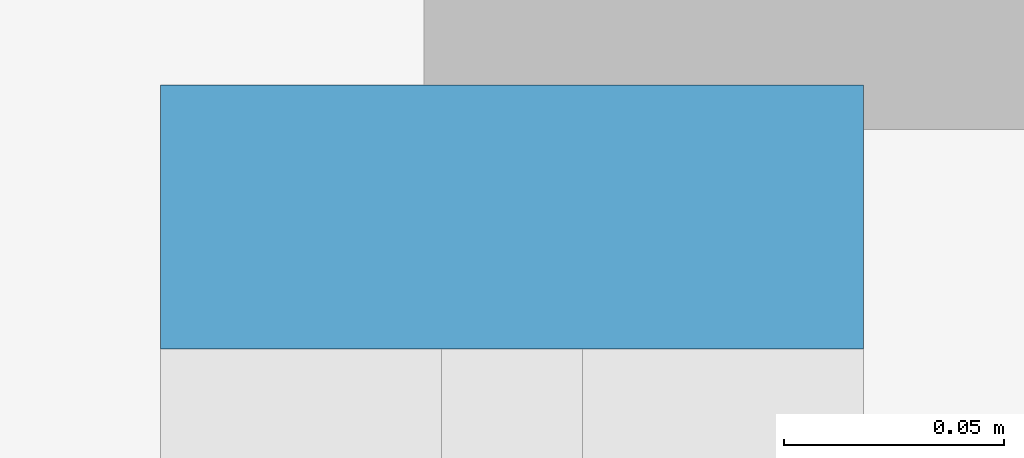
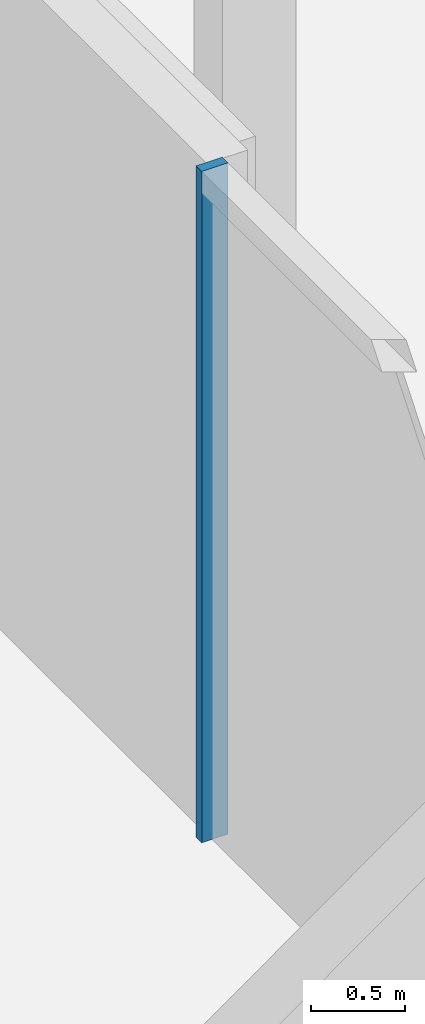
# One storey, part 17 of 29: 1 member, 1 element without a shape of its own.
"""IFC4 building model written with IfcOpenShell, lengths in metres."""

from ifc_helpers import new_model, si_unit, direction, frame, origin, origin_2d, place, context, subcontext, project, spatial, rectangle, extrude, material, material_profile, profile_set, type_object, element, aggregate, save


model = new_model("IFC4")

# Units and contexts
model_context = context("Model", 3, precision=1e-05, world=origin(), true_north=direction((0.0, 1.0)))
body_context = subcontext(model_context, "Body", "Model", "MODEL_VIEW")
ifc_project = project(units=[si_unit("LENGTHUNIT", "METRE"), si_unit("AREAUNIT", "SQUARE_METRE"), si_unit("VOLUMEUNIT", "CUBIC_METRE"), si_unit("PLANEANGLEUNIT", "RADIAN"), si_unit("MASSUNIT", "GRAM", prefix="KILO")], contexts=[model_context])

# Site, building, storey
site_placement = place(None, origin())
site = spatial("IfcSite", under=ifc_project, at=site_placement, CompositionType="ELEMENT")
building_placement = place(site_placement, origin())
building = spatial("IfcBuilding", under=site, at=building_placement, Name="Bicima Exchange Tower", CompositionType="ELEMENT")
storey_placement = place(building_placement, frame((0.0, 0.0, 35.0)))
storey = spatial("IfcBuildingStorey", under=building, at=storey_placement, Name="L06", CompositionType="ELEMENT", Elevation=35.0)

# Curtain wall, member
ifc_material = material(Name="Anodised bronze aluminium", Category="aluminium")
curtain_wall_type = type_object("IfcCurtainWallType", Name="End face glass wall", PredefinedType="NOTDEFINED", material=ifc_material)
curtain_wall_placement = place(storey_placement, origin())
curtain_wall = element("IfcCurtainWall", 1, at=curtain_wall_placement, inside=storey, type_object=curtain_wall_type, Name="End face glass wall L06 run 19", PredefinedType="NOTDEFINED")
ifc_material_profile = material_profile(ifc_material, rectangle(XDim=0.159912109375, YDim=0.06005859375, at=origin_2d()))
ifc_profile_set = profile_set([ifc_material_profile], Name="Anodised bronze aluminium")
member_type = type_object("IfcMemberType", Name="End face glass wall mullion 60 x 160", PredefinedType="MULLION", material=ifc_profile_set)
member_placement = place(storey_placement, frame((35.77001953125, -12.110107421875, 0.0), z_axis=(0.0, 0.0, 1.0), x_axis=(-1.0, 0.0, 0.0)))
member = element("IfcMember", 2, at=member_placement, type_object=member_type, Name="End face glass wall mullion 7", PredefinedType="MULLION", context=body_context, shape_type="SweptSolid", body=[
    extrude(rectangle(XDim=0.159912109375, YDim=0.06005859375, at=origin_2d()), origin(), (0.0, 0.0, 1.0), 4.35009765625),
])
aggregate(curtain_wall, [member])

save(model, "model.ifc")
